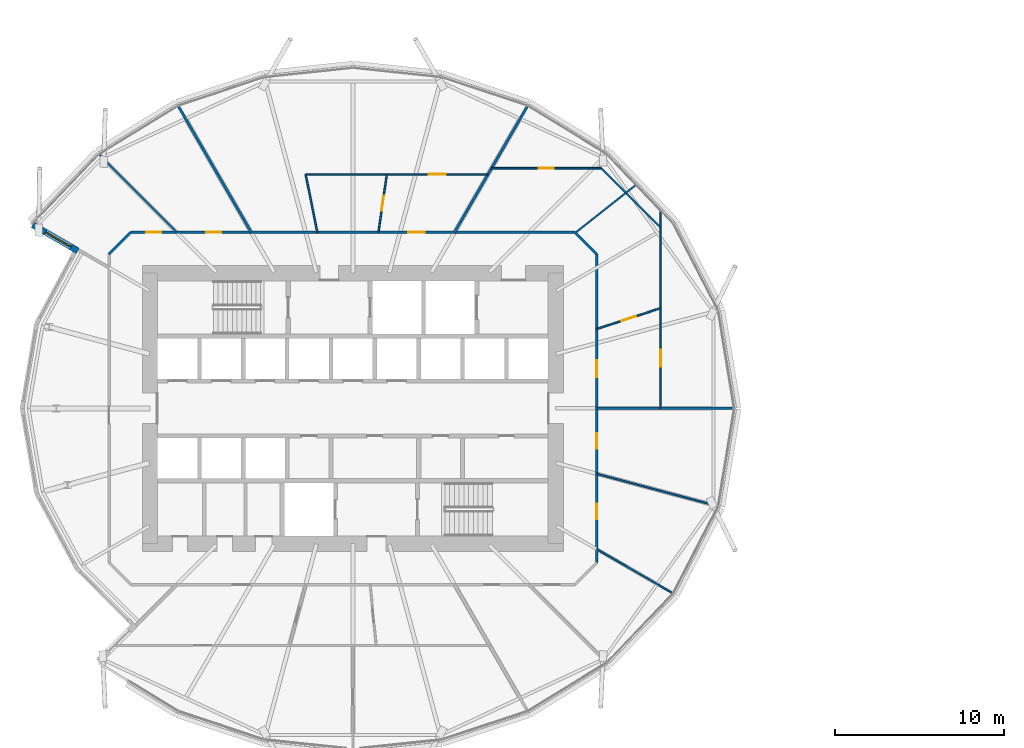
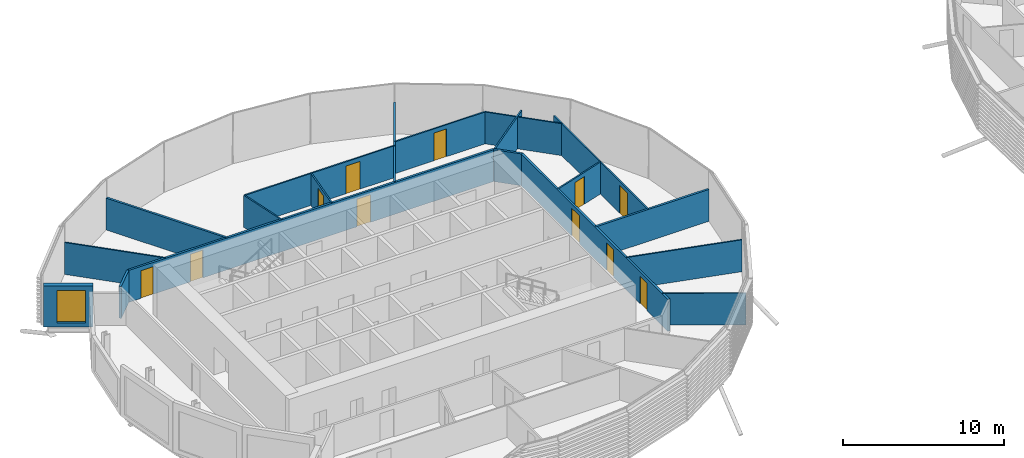
# One storey, part 22 of 38: 19 walls, 11 doors, 1 window, 12 openings.
"""IFC4 building model written with IfcOpenShell, lengths in metres."""

from ifc_helpers import new_model, si_unit, direction, frame, frame_2d, origin, place, context, subcontext, project, spatial, rectangle, extrude, material, layer, layer_set, type_object, element, fill, save


model = new_model("IFC4")

# Units and contexts
model_context = context("Model", 3, precision=1e-05, world=origin(), true_north=direction((0.0, 1.0)))
body_context = subcontext(model_context, "Body", "Model", "MODEL_VIEW")
ifc_project = project(units=[si_unit("LENGTHUNIT", "METRE"), si_unit("AREAUNIT", "SQUARE_METRE"), si_unit("VOLUMEUNIT", "CUBIC_METRE"), si_unit("PLANEANGLEUNIT", "RADIAN"), si_unit("MASSUNIT", "GRAM", prefix="KILO")], contexts=[model_context])

# Site, building, storey
site_placement = place(None, origin())
site = spatial("IfcSite", under=ifc_project, at=site_placement, CompositionType="ELEMENT")
building_placement = place(site_placement, origin())
building = spatial("IfcBuilding", under=site, at=building_placement, Name="Rimbun Link Towers", CompositionType="ELEMENT")
storey_placement = place(building_placement, frame((0.0, 0.0, 49.0)))
storey = spatial("IfcBuildingStorey", under=building, at=storey_placement, Name="L11", CompositionType="ELEMENT", Elevation=49.0)

# Wall, opening, window
ifc_material_1 = material(Name="Dark enamelled glass spandrel on insulated aluminium backpan", Category="aluminium")
ifc_layer_1 = layer(ifc_material_1, 0.3701171875)
ifc_layer_set_1 = layer_set([ifc_layer_1], Name="CS dark enamelled spandrel wall 370")
wall_type_1 = type_object("IfcWallType", Name="CS dark enamelled spandrel wall 370", PredefinedType="STANDARD", material=ifc_layer_set_1)
wall_1_placement = place(storey_placement, frame((-48.02685546875, 9.322509765625, 0.0), z_axis=(0.0, 0.0, 1.0), x_axis=(-0.866064153644, 0.499932877268, 0.0)))
wall_1 = element("IfcWall", 1, at=wall_1_placement, inside=storey, type_object=wall_type_1, Name="Crease spandrel wall", PredefinedType="STANDARD", context=body_context, shape_type="SweptSolid", body=[
    extrude(rectangle(XDim=3.080078125, YDim=0.3701171875, at=frame_2d((1.5400390625, 0.0))), origin(), (0.0, 0.0, 1.0), 3.0966796875),
])
opening_1_placement = place(wall_1_placement, frame((0.463623046875, 0.0, 0.300048828125)))
opening_1 = element("IfcOpeningElement", 2, at=opening_1_placement, cuts=wall_1, Name="Opening WR18H245", PredefinedType="OPENING", context=body_context, shape_type="SweptSolid", body=[
    extrude(rectangle(XDim=1.75, YDim=2.449951171875, at=frame_2d((0.875, 1.22509765625))), frame((0.0, 0.195068359375, 0.0), z_axis=(0.0, -1.0, 0.0), x_axis=(1.0, 0.0, 0.0)), (0.0, 0.0, 1.0), 0.39013671875),
])
ifc_material_2 = material(Name="Aluminium framed fixed window, dark tinted low-e glass", Category="aluminium")
window_type = type_object("IfcWindowType", Name="WR ribbon window 1750X2450", PartitioningType="SINGLE_PANEL", PredefinedType="WINDOW", material=ifc_material_2)
window_placement = place(opening_1_placement, origin())
window = element("IfcWindow", 3, at=window_placement, inside=storey, type_object=window_type, Name="Crease ribbon window", OverallHeight=2.449951171875, OverallWidth=1.75, PartitioningType="SINGLE_PANEL", PredefinedType="WINDOW", context=body_context, shape_type="SweptSolid", body=[
    extrude(rectangle(XDim=1.75, YDim=2.449951171875, at=frame_2d((0.875, 1.22509765625))), frame((0.0, 0.030029296875, 0.0), z_axis=(0.0, -1.0, 0.0), x_axis=(1.0, 0.0, 0.0)), (0.0, 0.0, 1.0), 0.06005859375),
])
fill(opening_1, window)

# Wall, openings, doors
ifc_material_3 = material(Name="Plasterboard on steel stud, mineral wool", Category="steel")
ifc_layer_2 = layer(ifc_material_3, 0.14990234375)
ifc_layer_set_2 = layer_set([ifc_layer_2], Name="Corridor wall EI 30 150 mm")
wall_type_2 = type_object("IfcWallType", Name="Corridor wall EI 30 150 mm", PredefinedType="PARTITIONING", material=ifc_layer_set_2)
wall_2_placement = place(storey_placement, frame((-44.876708984375, 10.425048828125, 0.0), z_axis=(0.0, 0.0, 1.0), x_axis=(1.0, 0.0, 0.0)))
wall_2 = element("IfcWall", 4, at=wall_2_placement, inside=storey, type_object=wall_type_2, Name="Corridor wall EI 30 150 mm", PredefinedType="PARTITIONING", context=body_context, shape_type="SweptSolid", body=[
    extrude(rectangle(XDim=26.25341796875, YDim=0.14990234375, at=frame_2d((13.126708984375, 0.0))), origin(), (0.0, 0.0, 1.0), 2.419921875),
])
opening_2_placement = place(wall_2_placement, frame((16.392822265625, 0.0, 0.0)))
opening_2 = element("IfcOpeningElement", 5, at=opening_2_placement, cuts=wall_2, Name="Opening D01", PredefinedType="OPENING", context=body_context, shape_type="SweptSolid", body=[
    extrude(rectangle(XDim=1.0, YDim=2.10009765625, at=frame_2d((0.5, 1.050048828125))), frame((0.0, 0.0849609375, 0.0), z_axis=(0.0, -1.0, 0.0), x_axis=(1.0, 0.0, 0.0)), (0.0, 0.0, 1.0), 0.169921875),
])
opening_3_placement = place(wall_2_placement, frame((4.454833984375, 0.0, 0.0)))
opening_3 = element("IfcOpeningElement", 6, at=opening_3_placement, cuts=wall_2, Name="Opening D02", PredefinedType="OPENING", context=body_context, shape_type="SweptSolid", body=[
    extrude(rectangle(XDim=0.89990234375, YDim=2.10009765625, at=frame_2d((0.449951171875, 1.050048828125))), frame((0.0, 0.0849609375, 0.0), z_axis=(0.0, -1.0, 0.0), x_axis=(1.0, 0.0, 0.0)), (0.0, 0.0, 1.0), 0.169921875),
])
opening_4_placement = place(wall_2_placement, frame((0.90087890625, 0.0, 0.0)))
opening_4 = element("IfcOpeningElement", 7, at=opening_4_placement, cuts=wall_2, Name="Opening D02", PredefinedType="OPENING", context=body_context, shape_type="SweptSolid", body=[
    extrude(rectangle(XDim=0.89990234375, YDim=2.10009765625, at=frame_2d((0.449951171875, 1.050048828125))), frame((0.0, 0.0849609375, 0.0), z_axis=(0.0, -1.0, 0.0), x_axis=(1.0, 0.0, 0.0)), (0.0, 0.0, 1.0), 0.169921875),
])
ifc_material_4 = material(Name="Fire-resisting timber door leaf", Category="wood")
door_type_1 = type_object("IfcDoorType", Name="Fire door FD30S 1000", OperationType="NOTDEFINED", PredefinedType="DOOR", material=ifc_material_4)
door_1_placement = place(opening_2_placement, origin())
door_1 = element("IfcDoor", 8, at=door_1_placement, inside=storey, type_object=door_type_1, Name="Fire door FD30S 1000 to Reception", OperationType="SINGLE_SWING_LEFT", OverallHeight=2.10009765625, OverallWidth=1.0, PredefinedType="DOOR", context=body_context, shape_type="SweptSolid", body=[
    extrude(rectangle(XDim=1.0, YDim=2.10009765625, at=frame_2d((0.5, 1.050048828125))), frame((0.0, 0.02490234375, 0.0), z_axis=(0.0, -1.0, 0.0), x_axis=(1.0, 0.0, 0.0)), (0.0, 0.0, 1.0), 0.050048828125),
])
fill(opening_2, door_1)
ifc_material_5 = material(Name="Fire-resisting timber door leaf", Category="wood")
door_type_2 = type_object("IfcDoorType", Name="Fire door FD30S 900", OperationType="NOTDEFINED", PredefinedType="DOOR", material=ifc_material_5)
door_2_placement = place(opening_3_placement, origin())
door_2 = element("IfcDoor", 9, at=door_2_placement, inside=storey, type_object=door_type_2, Name="Fire door FD30S 900 to Cellular office", OperationType="SINGLE_SWING_RIGHT", OverallHeight=2.10009765625, OverallWidth=0.89990234375, PredefinedType="DOOR", context=body_context, shape_type="SweptSolid", body=[
    extrude(rectangle(XDim=0.89990234375, YDim=2.10009765625, at=frame_2d((0.449951171875, 1.050048828125))), frame((0.0, 0.02490234375, 0.0), z_axis=(0.0, -1.0, 0.0), x_axis=(1.0, 0.0, 0.0)), (0.0, 0.0, 1.0), 0.050048828125),
])
fill(opening_3, door_2)
door_3_placement = place(opening_4_placement, origin())
door_3 = element("IfcDoor", 10, at=door_3_placement, inside=storey, type_object=door_type_2, Name="Fire door FD30S 900 to Cellular office", OperationType="SINGLE_SWING_LEFT", OverallHeight=2.10009765625, OverallWidth=0.89990234375, PredefinedType="DOOR", context=body_context, shape_type="SweptSolid", body=[
    extrude(rectangle(XDim=0.89990234375, YDim=2.10009765625, at=frame_2d((0.449951171875, 1.050048828125))), frame((0.0, 0.02490234375, 0.0), z_axis=(0.0, -1.0, 0.0), x_axis=(1.0, 0.0, 0.0)), (0.0, 0.0, 1.0), 0.050048828125),
])
fill(opening_4, door_3)

# Wall
wall_3_placement = place(storey_placement, frame((-17.324951171875, 9.126708984375, 0.0), z_axis=(0.0, 0.0, 1.0), x_axis=(-0.707106781187, 0.707106781187, 0.0)))
element("IfcWall", 11, at=wall_3_placement, inside=storey, type_object=wall_type_2, Name="Corridor wall EI 30 150 mm", PredefinedType="PARTITIONING", context=body_context, shape_type="SweptSolid", body=[
    extrude(rectangle(XDim=1.836181640625, YDim=0.14990234375, at=frame_2d((0.91796875, 0.0))), origin(), (0.0, 0.0, 1.0), 2.419921875),
])

# Wall, openings, doors
wall_4_placement = place(storey_placement, frame((-17.324951171875, 9.126708984375, 0.0), z_axis=(0.0, 0.0, 1.0), x_axis=(0.0, -1.0, 0.0)))
wall_4 = element("IfcWall", 12, at=wall_4_placement, inside=storey, type_object=wall_type_2, Name="Corridor wall EI 30 150 mm", PredefinedType="PARTITIONING", context=body_context, shape_type="SweptSolid", body=[
    extrude(rectangle(XDim=18.25341796875, YDim=0.14990234375, at=frame_2d((9.126708984375, 0.0))), origin(), (0.0, 0.0, 1.0), 2.419921875),
])
opening_5_placement = place(wall_4_placement, frame((14.7734375, 0.0, 0.0)))
opening_5 = element("IfcOpeningElement", 13, at=opening_5_placement, cuts=wall_4, Name="Opening D02", PredefinedType="OPENING", context=body_context, shape_type="SweptSolid", body=[
    extrude(rectangle(XDim=0.89990234375, YDim=2.10009765625, at=frame_2d((0.449951171875, 1.050048828125))), frame((0.0, 0.0849609375, 0.0), z_axis=(0.0, -1.0, 0.0), x_axis=(1.0, 0.0, 0.0)), (0.0, 0.0, 1.0), 0.169921875),
])
opening_6_placement = place(wall_4_placement, frame((10.609375, 0.0, 0.0)))
opening_6 = element("IfcOpeningElement", 14, at=opening_6_placement, cuts=wall_4, Name="Opening D02", PredefinedType="OPENING", context=body_context, shape_type="SweptSolid", body=[
    extrude(rectangle(XDim=0.89990234375, YDim=2.10009765625, at=frame_2d((0.449951171875, 1.050048828125))), frame((0.0, 0.0849609375, 0.0), z_axis=(0.0, -1.0, 0.0), x_axis=(1.0, 0.0, 0.0)), (0.0, 0.0, 1.0), 0.169921875),
])
opening_7_placement = place(wall_4_placement, frame((6.277587890625, 0.0, 0.0)))
opening_7 = element("IfcOpeningElement", 15, at=opening_7_placement, cuts=wall_4, Name="Opening D01", PredefinedType="OPENING", context=body_context, shape_type="SweptSolid", body=[
    extrude(rectangle(XDim=1.0, YDim=2.10009765625, at=frame_2d((0.5, 1.050048828125))), frame((0.0, 0.0849609375, 0.0), z_axis=(0.0, -1.0, 0.0), x_axis=(1.0, 0.0, 0.0)), (0.0, 0.0, 1.0), 0.169921875),
])
door_4_placement = place(opening_7_placement, origin())
door_4 = element("IfcDoor", 16, at=door_4_placement, inside=storey, type_object=door_type_1, Name="Fire door FD30S 1000 to Customer lobby", OperationType="SINGLE_SWING_RIGHT", OverallHeight=2.10009765625, OverallWidth=1.0, PredefinedType="DOOR", context=body_context, shape_type="SweptSolid", body=[
    extrude(rectangle(XDim=1.0, YDim=2.10009765625, at=frame_2d((0.5, 1.050048828125))), frame((0.0, 0.02490234375, 0.0), z_axis=(0.0, -1.0, 0.0), x_axis=(1.0, 0.0, 0.0)), (0.0, 0.0, 1.0), 0.050048828125),
])
fill(opening_7, door_4)
door_5_placement = place(opening_5_placement, origin())
door_5 = element("IfcDoor", 17, at=door_5_placement, inside=storey, type_object=door_type_2, Name="Fire door FD30S 900 to Cellular office", OperationType="SINGLE_SWING_RIGHT", OverallHeight=2.10009765625, OverallWidth=0.89990234375, PredefinedType="DOOR", context=body_context, shape_type="SweptSolid", body=[
    extrude(rectangle(XDim=0.89990234375, YDim=2.10009765625, at=frame_2d((0.449951171875, 1.050048828125))), frame((0.0, 0.02490234375, 0.0), z_axis=(0.0, -1.0, 0.0), x_axis=(1.0, 0.0, 0.0)), (0.0, 0.0, 1.0), 0.050048828125),
])
fill(opening_5, door_5)
door_6_placement = place(opening_6_placement, origin())
door_6 = element("IfcDoor", 18, at=door_6_placement, inside=storey, type_object=door_type_2, Name="Fire door FD30S 900 to Meeting room", OperationType="SINGLE_SWING_LEFT", OverallHeight=2.10009765625, OverallWidth=0.89990234375, PredefinedType="DOOR", context=body_context, shape_type="SweptSolid", body=[
    extrude(rectangle(XDim=0.89990234375, YDim=2.10009765625, at=frame_2d((0.449951171875, 1.050048828125))), frame((0.0, 0.02490234375, 0.0), z_axis=(0.0, -1.0, 0.0), x_axis=(1.0, 0.0, 0.0)), (0.0, 0.0, 1.0), 0.050048828125),
])
fill(opening_6, door_6)

# Walls
wall_5_placement = place(storey_placement, frame((-44.876708984375, 10.425048828125, 0.0), z_axis=(0.0, 0.0, 1.0), x_axis=(-0.707106781187, -0.707106781187, 0.0)))
element("IfcWall", 19, at=wall_5_placement, inside=storey, type_object=wall_type_2, Name="Corridor wall EI 30 150 mm", PredefinedType="PARTITIONING", context=body_context, shape_type="SweptSolid", body=[
    extrude(rectangle(XDim=1.836181640625, YDim=0.14990234375, at=frame_2d((0.91796875, 0.0))), origin(), (0.0, 0.0, 1.0), 2.419921875),
])
ifc_material_6 = material(Name="Plasterboard on steel stud", Category="steel")
ifc_layer_3 = layer(ifc_material_6, 0.10009765625)
ifc_layer_set_3 = layer_set([ifc_layer_3], Name="Plasterboard partition 100 mm")
wall_type_3 = type_object("IfcWallType", Name="Plasterboard partition 100 mm", PredefinedType="PARTITIONING", material=ifc_layer_set_3)
wall_6_placement = place(storey_placement, frame((-12.82080078125, -10.9287109375, 0.0), z_axis=(0.0, 0.0, 1.0), x_axis=(-0.866036280653, 0.499981160238, 0.0)))
element("IfcWall", 20, at=wall_6_placement, inside=storey, type_object=wall_type_3, Name="Plasterboard partition 100 mm", PredefinedType="PARTITIONING", context=body_context, shape_type="SweptSolid", body=[
    extrude(rectangle(XDim=5.200927734375, YDim=0.10009765625, at=frame_2d((2.6005859375, 0.0))), origin(), (0.0, 0.0, 1.0), 2.419921875),
])
wall_7_placement = place(storey_placement, frame((-10.159423828125, -5.78515625, 0.0), z_axis=(0.0, 0.0, 1.0), x_axis=(-0.965928366929, 0.258809563119, 0.0)))
element("IfcWall", 21, at=wall_7_placement, inside=storey, type_object=wall_type_3, Name="Plasterboard partition 100 mm", PredefinedType="PARTITIONING", context=body_context, shape_type="SweptSolid", body=[
    extrude(rectangle(XDim=7.418212890625, YDim=0.10009765625, at=frame_2d((3.708984375, 0.0))), origin(), (0.0, 0.0, 1.0), 2.419921875),
])

# Wall, opening, door
wall_8_placement = place(storey_placement, frame((-17.324951171875, 4.697998046875, 0.0), z_axis=(0.0, 0.0, 1.0), x_axis=(0.950834848198, 0.309698387875, 0.0)))
wall_8 = element("IfcWall", 22, at=wall_8_placement, inside=storey, type_object=wall_type_3, Name="Plasterboard partition 100 mm", PredefinedType="PARTITIONING", context=body_context, shape_type="SweptSolid", body=[
    extrude(rectangle(XDim=3.9755859375, YDim=0.10009765625, at=frame_2d((1.98779296875, 0.0))), origin(), (0.0, 0.0, 1.0), 2.419921875),
])
opening_8_placement = place(wall_8_placement, frame((1.53759765625, 0.0, 0.0)))
opening_8 = element("IfcOpeningElement", 23, at=opening_8_placement, cuts=wall_8, Name="Opening D04", PredefinedType="OPENING", context=body_context, shape_type="SweptSolid", body=[
    extrude(rectangle(XDim=0.89990234375, YDim=2.10009765625, at=frame_2d((0.449951171875, 1.050048828125))), frame((0.0, 0.06005859375, 0.0), z_axis=(0.0, -1.0, 0.0), x_axis=(1.0, 0.0, 0.0)), (0.0, 0.0, 1.0), 0.1201171875),
])
ifc_material_7 = material(Name="Timber door leaf", Category="wood")
door_type_3 = type_object("IfcDoorType", Name="Flush door 900", OperationType="NOTDEFINED", PredefinedType="DOOR", material=ifc_material_7)
door_7_placement = place(opening_8_placement, origin())
door_7 = element("IfcDoor", 24, at=door_7_placement, inside=storey, type_object=door_type_3, Name="Flush door 900 to Interview room", OperationType="SINGLE_SWING_RIGHT", OverallHeight=2.10009765625, OverallWidth=0.89990234375, PredefinedType="DOOR", context=body_context, shape_type="SweptSolid", body=[
    extrude(rectangle(XDim=0.89990234375, YDim=2.10009765625, at=frame_2d((0.449951171875, 1.050048828125))), frame((0.0, 0.02490234375, 0.0), z_axis=(0.0, -1.0, 0.0), x_axis=(1.0, 0.0, 0.0)), (0.0, 0.0, 1.0), 0.050048828125),
])
fill(opening_8, door_7)

wall_9_placement = place(storey_placement, frame((-13.544921875, 11.698974609375, 0.0), z_axis=(0.0, 0.0, 1.0), x_axis=(0.0, -1.0, 0.0)))
wall_9 = element("IfcWall", 25, at=wall_9_placement, inside=storey, type_object=wall_type_3, Name="Plasterboard partition 100 mm", PredefinedType="PARTITIONING", context=body_context, shape_type="SweptSolid", body=[
    extrude(rectangle(XDim=11.698974609375, YDim=0.10009765625, at=frame_2d((5.849609375, 0.0))), origin(), (0.0, 0.0, 1.0), 2.419921875),
])
opening_9_placement = place(wall_9_placement, frame((8.219482421875, 0.0, 0.0)))
opening_9 = element("IfcOpeningElement", 26, at=opening_9_placement, cuts=wall_9, Name="Opening D03", PredefinedType="OPENING", context=body_context, shape_type="SweptSolid", body=[
    extrude(rectangle(XDim=1.0, YDim=2.10009765625, at=frame_2d((0.5, 1.050048828125))), frame((0.0, 0.06005859375, 0.0), z_axis=(0.0, -1.0, 0.0), x_axis=(1.0, 0.0, 0.0)), (0.0, 0.0, 1.0), 0.1201171875),
])
ifc_material_8 = material(Name="Timber door leaf", Category="wood")
door_type_4 = type_object("IfcDoorType", Name="Flush door 1000", OperationType="NOTDEFINED", PredefinedType="DOOR", material=ifc_material_8)
door_8_placement = place(opening_9_placement, origin())
door_8 = element("IfcDoor", 27, at=door_8_placement, inside=storey, type_object=door_type_4, Name="Flush door 1000 to Banking hall", OperationType="SINGLE_SWING_LEFT", OverallHeight=2.10009765625, OverallWidth=1.0, PredefinedType="DOOR", context=body_context, shape_type="SweptSolid", body=[
    extrude(rectangle(XDim=1.0, YDim=2.10009765625, at=frame_2d((0.5, 1.050048828125))), frame((0.0, 0.02490234375, 0.0), z_axis=(0.0, -1.0, 0.0), x_axis=(1.0, 0.0, 0.0)), (0.0, 0.0, 1.0), 0.050048828125),
])
fill(opening_9, door_8)

# Walls
wall_10_placement = place(storey_placement, frame((-15.001220703125, 13.224365234375, 0.0), z_axis=(0.0, 0.0, 1.0), x_axis=(-0.784848593056, -0.619687571263, 0.0)))
element("IfcWall", 28, at=wall_10_placement, inside=storey, type_object=wall_type_3, Name="Plasterboard partition 100 mm", PredefinedType="PARTITIONING", context=body_context, shape_type="SweptSolid", body=[
    extrude(rectangle(XDim=4.572021484375, YDim=0.10009765625, at=frame_2d((2.2861328125, 0.0))), origin(), (0.0, 0.0, 1.0), 2.419921875),
])
wall_11_placement = place(storey_placement, frame((-13.544921875, 10.6923828125, 0.0), z_axis=(0.0, 0.0, 1.0), x_axis=(-0.707106781187, 0.707106781187, 0.0)))
element("IfcWall", 29, at=wall_11_placement, inside=storey, type_object=wall_type_3, Name="Plasterboard partition 100 mm", PredefinedType="PARTITIONING", context=body_context, shape_type="SweptSolid", body=[
    extrude(rectangle(XDim=4.9677734375, YDim=0.10009765625, at=frame_2d((2.48388671875, 0.0))), origin(), (0.0, 0.0, 1.0), 2.419921875),
])

# Wall, opening, door
wall_12_placement = place(storey_placement, frame((-17.0576171875, 14.205078125, 0.0), z_axis=(0.0, 0.0, 1.0), x_axis=(-1.0, 0.0, 0.0)))
wall_12 = element("IfcWall", 30, at=wall_12_placement, inside=storey, type_object=wall_type_3, Name="Plasterboard partition 100 mm", PredefinedType="PARTITIONING", context=body_context, shape_type="SweptSolid", body=[
    extrude(rectangle(XDim=6.4912109375, YDim=0.10009765625, at=frame_2d((3.24560546875, 0.0))), origin(), (0.0, 0.0, 1.0), 2.419921875),
])
opening_10_placement = place(wall_12_placement, frame((2.795654296875, 0.0, 0.0)))
opening_10 = element("IfcOpeningElement", 31, at=opening_10_placement, cuts=wall_12, Name="Opening D04", PredefinedType="OPENING", context=body_context, shape_type="SweptSolid", body=[
    extrude(rectangle(XDim=0.89990234375, YDim=2.10009765625, at=frame_2d((0.449951171875, 1.050048828125))), frame((0.0, 0.06005859375, 0.0), z_axis=(0.0, -1.0, 0.0), x_axis=(1.0, 0.0, 0.0)), (0.0, 0.0, 1.0), 0.1201171875),
])
door_9_placement = place(opening_10_placement, origin())
door_9 = element("IfcDoor", 32, at=door_9_placement, inside=storey, type_object=door_type_3, Name="Flush door 900 to Strong room", OperationType="SINGLE_SWING_RIGHT", OverallHeight=2.10009765625, OverallWidth=0.89990234375, PredefinedType="DOOR", context=body_context, shape_type="SweptSolid", body=[
    extrude(rectangle(XDim=0.89990234375, YDim=2.10009765625, at=frame_2d((0.449951171875, 1.050048828125))), frame((0.0, 0.02490234375, 0.0), z_axis=(0.0, -1.0, 0.0), x_axis=(1.0, 0.0, 0.0)), (0.0, 0.0, 1.0), 0.050048828125),
])
fill(opening_10, door_9)

wall_13_placement = place(storey_placement, frame((-30.236328125, 10.425048828125, 0.0), z_axis=(0.0, 0.0, 1.0), x_axis=(0.143695813328, 0.98962190418, 0.0)))
wall_13 = element("IfcWall", 33, at=wall_13_placement, inside=storey, type_object=wall_type_3, Name="Plasterboard partition 100 mm", PredefinedType="PARTITIONING", context=body_context, shape_type="SweptSolid", body=[
    extrude(rectangle(XDim=3.455810546875, YDim=0.10009765625, at=frame_2d((1.72802734375, 0.0))), origin(), (0.0, 0.0, 1.0), 2.419921875),
])
opening_11_placement = place(wall_13_placement, frame((1.27783203125, 0.0, 0.0)))
opening_11 = element("IfcOpeningElement", 34, at=opening_11_placement, cuts=wall_13, Name="Opening D04", PredefinedType="OPENING", context=body_context, shape_type="SweptSolid", body=[
    extrude(rectangle(XDim=0.89990234375, YDim=2.10009765625, at=frame_2d((0.449951171875, 1.050048828125))), frame((0.0, 0.06005859375, 0.0), z_axis=(0.0, -1.0, 0.0), x_axis=(1.0, 0.0, 0.0)), (0.0, 0.0, 1.0), 0.1201171875),
])
door_10_placement = place(opening_11_placement, origin())
door_10 = element("IfcDoor", 35, at=door_10_placement, inside=storey, type_object=door_type_3, Name="Flush door 900 to Meeting room", OperationType="SINGLE_SWING_RIGHT", OverallHeight=2.10009765625, OverallWidth=0.89990234375, PredefinedType="DOOR", context=body_context, shape_type="SweptSolid", body=[
    extrude(rectangle(XDim=0.89990234375, YDim=2.10009765625, at=frame_2d((0.449951171875, 1.050048828125))), frame((0.0, 0.02490234375, 0.0), z_axis=(0.0, -1.0, 0.0), x_axis=(1.0, 0.0, 0.0)), (0.0, 0.0, 1.0), 0.050048828125),
])
fill(opening_11, door_10)

wall_14_placement = place(storey_placement, frame((-34.54296875, 13.844970703125, 0.0), z_axis=(0.0, 0.0, 1.0), x_axis=(1.0, 0.0, 0.0)))
wall_14 = element("IfcWall", 36, at=wall_14_placement, inside=storey, type_object=wall_type_3, Name="Plasterboard partition 100 mm", PredefinedType="PARTITIONING", context=body_context, shape_type="SweptSolid", body=[
    extrude(rectangle(XDim=10.786376953125, YDim=0.10009765625, at=frame_2d((5.39306640625, 0.0))), origin(), (0.0, 0.0, 1.0), 2.419921875),
])
opening_12_placement = place(wall_14_placement, frame((7.279541015625, 0.0, 0.0)))
opening_12 = element("IfcOpeningElement", 37, at=opening_12_placement, cuts=wall_14, Name="Opening D03", PredefinedType="OPENING", context=body_context, shape_type="SweptSolid", body=[
    extrude(rectangle(XDim=1.0, YDim=2.10009765625, at=frame_2d((0.5, 1.050048828125))), frame((0.0, 0.06005859375, 0.0), z_axis=(0.0, -1.0, 0.0), x_axis=(1.0, 0.0, 0.0)), (0.0, 0.0, 1.0), 0.1201171875),
])
door_11_placement = place(opening_12_placement, origin())
door_11 = element("IfcDoor", 38, at=door_11_placement, inside=storey, type_object=door_type_4, Name="Flush door 1000 to Open office", OperationType="SINGLE_SWING_LEFT", OverallHeight=2.10009765625, OverallWidth=1.0, PredefinedType="DOOR", context=body_context, shape_type="SweptSolid", body=[
    extrude(rectangle(XDim=1.0, YDim=2.10009765625, at=frame_2d((0.5, 1.050048828125))), frame((0.0, 0.02490234375, 0.0), z_axis=(0.0, -1.0, 0.0), x_axis=(1.0, 0.0, 0.0)), (0.0, 0.0, 1.0), 0.050048828125),
])
fill(opening_12, door_11)

# Walls
wall_15_placement = place(storey_placement, frame((-34.54296875, 13.844970703125, 0.0), z_axis=(0.0, 0.0, 1.0), x_axis=(0.197757650316, -0.98025094325, 0.0)))
element("IfcWall", 39, at=wall_15_placement, inside=storey, type_object=wall_type_3, Name="Plasterboard partition 100 mm", PredefinedType="PARTITIONING", context=body_context, shape_type="SweptSolid", body=[
    extrude(rectangle(XDim=3.48876953125, YDim=0.10009765625, at=frame_2d((1.744384765625, 0.0))), origin(), (0.0, 0.0, 1.0), 2.419921875),
])
wall_16_placement = place(storey_placement, frame((-46.76318359375, 15.01318359375, 0.0), z_axis=(0.0, 0.0, 1.0), x_axis=(0.707106781187, -0.707106781187, 0.0)))
element("IfcWall", 40, at=wall_16_placement, inside=storey, type_object=wall_type_3, Name="Plasterboard partition 100 mm", PredefinedType="PARTITIONING", context=body_context, shape_type="SweptSolid", body=[
    extrude(rectangle(XDim=6.488525390625, YDim=0.10009765625, at=frame_2d((3.244140625, 0.0))), origin(), (0.0, 0.0, 1.0), 2.419921875),
])
ifc_material_9 = material(Name="Plasterboard on steel stud, mineral wool", Category="steel")
ifc_layer_4 = layer(ifc_material_9, 0.14990234375)
ifc_layer_set_4 = layer_set([ifc_layer_4], Name="Tenancy separation wall EI 60 150 mm")
wall_type_4 = type_object("IfcWallType", Name="Tenancy separation wall EI 60 150 mm", PredefinedType="PARTITIONING", material=ifc_layer_set_4)
wall_17_placement = place(storey_placement, frame((-17.324951171875, 0.0, 0.0), z_axis=(0.0, 0.0, 1.0), x_axis=(1.0, 0.0, 0.0)))
element("IfcWall", 41, at=wall_17_placement, inside=storey, type_object=wall_type_4, Name="Tenancy separation wall EI 60 150 mm", PredefinedType="PARTITIONING", context=body_context, shape_type="SweptSolid", body=[
    extrude(rectangle(XDim=8.11669921875, YDim=0.14990234375, at=frame_2d((4.058349609375, 0.0))), origin(), (0.0, 0.0, 1.0), 2.419921875),
])
for number, where, z_axis, x_axis, name in (
    (42, (-25.731201171875, 10.425048828125, 0.0), (0.0, 0.0, 1.0), (0.500010951303, 0.866019080954, 0.0), "Tenancy separation wall EI 60 150 mm"),
    (43, (-37.768798828125, 10.425048828125, 0.0), (0.0, 0.0, 1.0), (-0.500010951303, 0.866019080954, 0.0), "Tenancy separation wall EI 60 150 mm"),
):
    element("IfcWall", number, at=place(storey_placement, frame(where, z_axis=z_axis, x_axis=x_axis)), inside=storey, type_object=wall_type_4, Name=name, PredefinedType="PARTITIONING", context=body_context, shape_type="SweptSolid", body=[
        extrude(rectangle(XDim=8.619384765625, YDim=0.14990234375, at=frame_2d((4.3095703125, 0.0))), origin(), (0.0, 0.0, 1.0), 2.419921875),
    ])

save(model, "model.ifc")
